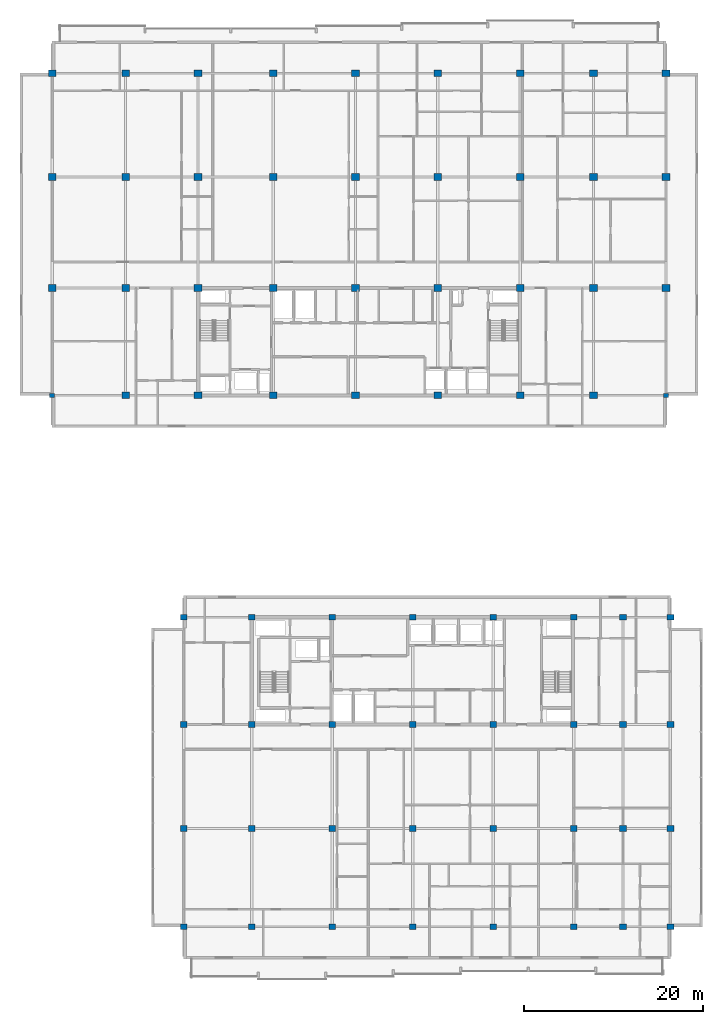
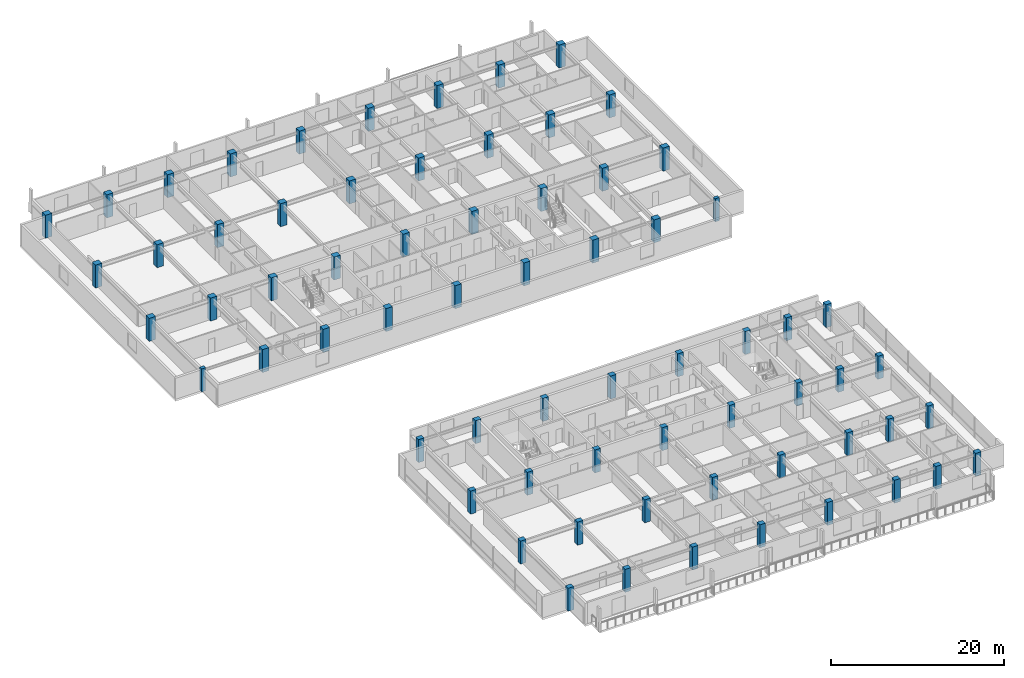
# One storey, part 1 of 30: 68 columns.
"""IFC4 building model written with IfcOpenShell, lengths in metres."""

from ifc_helpers import new_model, si_unit, direction, frame, origin, origin_2d, place, context, subcontext, project, spatial, rectangle, extrude, material, material_profile, profile_set, type_object, element, save


model = new_model("IFC4")

# Units and contexts
model_context = context("Model", 3, precision=1e-05, world=origin(), true_north=direction((0.0, 1.0)))
body_context = subcontext(model_context, "Body", "Model", "MODEL_VIEW")
ifc_project = project(units=[si_unit("LENGTHUNIT", "METRE"), si_unit("AREAUNIT", "SQUARE_METRE"), si_unit("VOLUMEUNIT", "CUBIC_METRE"), si_unit("PLANEANGLEUNIT", "RADIAN"), si_unit("MASSUNIT", "GRAM", prefix="KILO")], contexts=[model_context])

# Site, building, storey
site_placement = place(None, origin())
site = spatial("IfcSite", under=ifc_project, at=site_placement, CompositionType="ELEMENT")
building_placement = place(site_placement, origin())
building = spatial("IfcBuilding", under=site, at=building_placement, Name="Korimba Cascade Residences", CompositionType="ELEMENT")
storey_placement = place(building_placement, frame((0.0, 0.0, 201.10009765625)))
storey = spatial("IfcBuildingStorey", under=building, at=storey_placement, Name="L58", CompositionType="ELEMENT", Elevation=201.10009765625)

# Columns
ifc_material_1 = material(Name="Concrete C65/80", Category="concrete")
ifc_material_profile_1 = material_profile(ifc_material_1, rectangle(XDim=0.550048828125, YDim=0.449951171875, at=origin_2d()), Name="Concrete C65/80")
ifc_profile_set_1 = profile_set([ifc_material_profile_1], Name="Concrete C65/80")
column_type_1 = type_object("IfcColumnType", Name="COL-PIL-550", PredefinedType="PILASTER", material=ifc_profile_set_1)
for number, where, z_axis, x_axis, name in (
    (1, (59.800048828125, 55.199951171875, 0.0), (0.0, 0.0, 1.0), (1.0, 0.0, 0.0), "L58 Tower 1 Column 1.1"),
    (2, (128.39990234375, 55.199951171875, 0.0), (0.0, 0.0, 1.0), (1.0, 0.0, 0.0), "L58 Tower 1 Column 9.1"),
):
    element("IfcColumn", number, at=place(storey_placement, frame(where, z_axis=z_axis, x_axis=x_axis)), inside=storey, type_object=column_type_1, Name=name, PredefinedType="PILASTER", context=body_context, shape_type="SweptSolid", body=[
        extrude(rectangle(XDim=0.550048828125, YDim=0.449951171875, at=origin_2d()), origin(), (0.0, 0.0, 1.0), 3.25),
    ])
ifc_material_2 = material(Name="Concrete C50/60", Category="concrete")
ifc_material_profile_2 = material_profile(ifc_material_2, rectangle(XDim=0.75, YDim=0.64990234375, at=origin_2d()), Name="Concrete C50/60")
ifc_profile_set_2 = profile_set([ifc_material_profile_2], Name="Concrete C50/60")
column_type_2 = type_object("IfcColumnType", Name="COL-RC-750", PredefinedType="COLUMN", material=ifc_profile_set_2)
for number, where, z_axis, x_axis, name in (
    (3, (74.5, -4.199951171875, 0.0), (0.0, 0.0, 1.0), (1.0, 0.0, 0.0), "L58 Tower 2 Column 1.1"),
    (4, (74.5, 6.800048828125, 0.0), (0.0, 0.0, 1.0), (1.0, 0.0, 0.0), "L58 Tower 2 Column 1.2"),
    (5, (74.5, 18.39990234375, 0.0), (0.0, 0.0, 1.0), (1.0, 0.0, 0.0), "L58 Tower 2 Column 1.3"),
    (6, (74.5, 30.39990234375, 0.0), (0.0, 0.0, 1.0), (1.0, 0.0, 0.0), "L58 Tower 2 Column 1.4"),
    (7, (82.10009765625, -4.199951171875, 0.0), (0.0, 0.0, 1.0), (1.0, 0.0, 0.0), "L58 Tower 2 Column 2.1"),
    (8, (82.10009765625, 6.800048828125, 0.0), (0.0, 0.0, 1.0), (1.0, 0.0, 0.0), "L58 Tower 2 Column 2.2"),
    (9, (82.10009765625, 18.39990234375, 0.0), (0.0, 0.0, 1.0), (1.0, 0.0, 0.0), "L58 Tower 2 Column 2.3"),
    (10, (82.10009765625, 30.39990234375, 0.0), (0.0, 0.0, 1.0), (1.0, 0.0, 0.0), "L58 Tower 2 Column 2.4"),
    (11, (91.10009765625, -4.199951171875, 0.0), (0.0, 0.0, 1.0), (1.0, 0.0, 0.0), "L58 Tower 2 Column 3.1"),
    (12, (91.10009765625, 6.800048828125, 0.0), (0.0, 0.0, 1.0), (1.0, 0.0, 0.0), "L58 Tower 2 Column 3.2"),
    (13, (91.10009765625, 18.39990234375, 0.0), (0.0, 0.0, 1.0), (1.0, 0.0, 0.0), "L58 Tower 2 Column 3.3"),
    (14, (91.10009765625, 30.39990234375, 0.0), (0.0, 0.0, 1.0), (1.0, 0.0, 0.0), "L58 Tower 2 Column 3.4"),
    (15, (100.10009765625, -4.199951171875, 0.0), (0.0, 0.0, 1.0), (1.0, 0.0, 0.0), "L58 Tower 2 Column 4.1"),
    (16, (100.10009765625, 6.800048828125, 0.0), (0.0, 0.0, 1.0), (1.0, 0.0, 0.0), "L58 Tower 2 Column 4.2"),
    (17, (100.10009765625, 18.39990234375, 0.0), (0.0, 0.0, 1.0), (1.0, 0.0, 0.0), "L58 Tower 2 Column 4.3"),
    (18, (100.10009765625, 30.39990234375, 0.0), (0.0, 0.0, 1.0), (1.0, 0.0, 0.0), "L58 Tower 2 Column 4.4"),
    (19, (109.10009765625, -4.199951171875, 0.0), (0.0, 0.0, 1.0), (1.0, 0.0, 0.0), "L58 Tower 2 Column 5.1"),
    (20, (109.10009765625, 6.800048828125, 0.0), (0.0, 0.0, 1.0), (1.0, 0.0, 0.0), "L58 Tower 2 Column 5.2"),
    (21, (109.10009765625, 18.39990234375, 0.0), (0.0, 0.0, 1.0), (1.0, 0.0, 0.0), "L58 Tower 2 Column 5.3"),
    (22, (109.10009765625, 30.39990234375, 0.0), (0.0, 0.0, 1.0), (1.0, 0.0, 0.0), "L58 Tower 2 Column 5.4"),
    (23, (118.10009765625, -4.199951171875, 0.0), (0.0, 0.0, 1.0), (1.0, 0.0, 0.0), "L58 Tower 2 Column 6.1"),
    (24, (118.10009765625, 6.800048828125, 0.0), (0.0, 0.0, 1.0), (1.0, 0.0, 0.0), "L58 Tower 2 Column 6.2"),
    (25, (118.10009765625, 18.39990234375, 0.0), (0.0, 0.0, 1.0), (1.0, 0.0, 0.0), "L58 Tower 2 Column 6.3"),
    (26, (118.10009765625, 30.39990234375, 0.0), (0.0, 0.0, 1.0), (1.0, 0.0, 0.0), "L58 Tower 2 Column 6.4"),
    (27, (123.60009765625, -4.199951171875, 0.0), (0.0, 0.0, 1.0), (1.0, 0.0, 0.0), "L58 Tower 2 Column 7.1"),
    (28, (123.60009765625, 6.800048828125, 0.0), (0.0, 0.0, 1.0), (1.0, 0.0, 0.0), "L58 Tower 2 Column 7.2"),
    (29, (123.60009765625, 18.39990234375, 0.0), (0.0, 0.0, 1.0), (1.0, 0.0, 0.0), "L58 Tower 2 Column 7.3"),
    (30, (123.60009765625, 30.39990234375, 0.0), (0.0, 0.0, 1.0), (1.0, 0.0, 0.0), "L58 Tower 2 Column 7.4"),
    (31, (128.89990234375, -4.199951171875, 0.0), (0.0, 0.0, 1.0), (1.0, 0.0, 0.0), "L58 Tower 2 Column 8.1"),
    (32, (128.89990234375, 6.800048828125, 0.0), (0.0, 0.0, 1.0), (1.0, 0.0, 0.0), "L58 Tower 2 Column 8.2"),
    (33, (128.89990234375, 18.39990234375, 0.0), (0.0, 0.0, 1.0), (1.0, 0.0, 0.0), "L58 Tower 2 Column 8.3"),
    (34, (128.89990234375, 30.39990234375, 0.0), (0.0, 0.0, 1.0), (1.0, 0.0, 0.0), "L58 Tower 2 Column 8.4"),
):
    element("IfcColumn", number, at=place(storey_placement, frame(where, z_axis=z_axis, x_axis=x_axis)), inside=storey, type_object=column_type_2, Name=name, PredefinedType="COLUMN", context=body_context, shape_type="SweptSolid", body=[
        extrude(rectangle(XDim=0.75, YDim=0.64990234375, at=origin_2d()), origin(), (0.0, 0.0, 1.0), 3.25),
    ])
ifc_material_profile_3 = material_profile(ifc_material_1, rectangle(XDim=0.85009765625, YDim=0.75, at=origin_2d()), Name="Concrete C65/80")
ifc_profile_set_3 = profile_set([ifc_material_profile_3], Name="Concrete C65/80")
column_type_3 = type_object("IfcColumnType", Name="COL-RC-850", PredefinedType="COLUMN", material=ifc_profile_set_3)
for number, where, z_axis, x_axis, name in (
    (35, (59.800048828125, 67.199951171875, 0.0), (0.0, 0.0, 1.0), (1.0, 0.0, 0.0), "L58 Tower 1 Column 1.2"),
    (36, (59.800048828125, 79.60009765625, 0.0), (0.0, 0.0, 1.0), (1.0, 0.0, 0.0), "L58 Tower 1 Column 1.3"),
    (37, (59.800048828125, 91.199951171875, 0.0), (0.0, 0.0, 1.0), (1.0, 0.0, 0.0), "L58 Tower 1 Column 1.4"),
    (38, (68.0, 55.199951171875, 0.0), (0.0, 0.0, 1.0), (1.0, 0.0, 0.0), "L58 Tower 1 Column 2.1"),
    (39, (68.0, 67.199951171875, 0.0), (0.0, 0.0, 1.0), (1.0, 0.0, 0.0), "L58 Tower 1 Column 2.2"),
    (40, (68.0, 79.60009765625, 0.0), (0.0, 0.0, 1.0), (1.0, 0.0, 0.0), "L58 Tower 1 Column 2.3"),
    (41, (68.0, 91.199951171875, 0.0), (0.0, 0.0, 1.0), (1.0, 0.0, 0.0), "L58 Tower 1 Column 2.4"),
    (42, (76.10009765625, 55.199951171875, 0.0), (0.0, 0.0, 1.0), (1.0, 0.0, 0.0), "L58 Tower 1 Column 3.1"),
    (43, (76.10009765625, 67.199951171875, 0.0), (0.0, 0.0, 1.0), (1.0, 0.0, 0.0), "L58 Tower 1 Column 3.2"),
    (44, (76.10009765625, 79.60009765625, 0.0), (0.0, 0.0, 1.0), (1.0, 0.0, 0.0), "L58 Tower 1 Column 3.3"),
    (45, (76.10009765625, 91.199951171875, 0.0), (0.0, 0.0, 1.0), (1.0, 0.0, 0.0), "L58 Tower 1 Column 3.4"),
    (46, (84.5, 55.199951171875, 0.0), (0.0, 0.0, 1.0), (1.0, 0.0, 0.0), "L58 Tower 1 Column 4.1"),
    (47, (84.5, 67.199951171875, 0.0), (0.0, 0.0, 1.0), (1.0, 0.0, 0.0), "L58 Tower 1 Column 4.2"),
    (48, (84.5, 79.60009765625, 0.0), (0.0, 0.0, 1.0), (1.0, 0.0, 0.0), "L58 Tower 1 Column 4.3"),
    (49, (84.5, 91.199951171875, 0.0), (0.0, 0.0, 1.0), (1.0, 0.0, 0.0), "L58 Tower 1 Column 4.4"),
    (50, (93.699951171875, 55.199951171875, 0.0), (0.0, 0.0, 1.0), (1.0, 0.0, 0.0), "L58 Tower 1 Column 5.1"),
    (51, (93.699951171875, 67.199951171875, 0.0), (0.0, 0.0, 1.0), (1.0, 0.0, 0.0), "L58 Tower 1 Column 5.2"),
    (52, (93.699951171875, 79.60009765625, 0.0), (0.0, 0.0, 1.0), (1.0, 0.0, 0.0), "L58 Tower 1 Column 5.3"),
    (53, (93.699951171875, 91.199951171875, 0.0), (0.0, 0.0, 1.0), (1.0, 0.0, 0.0), "L58 Tower 1 Column 5.4"),
    (54, (102.89990234375, 55.199951171875, 0.0), (0.0, 0.0, 1.0), (1.0, 0.0, 0.0), "L58 Tower 1 Column 6.1"),
    (55, (102.89990234375, 67.199951171875, 0.0), (0.0, 0.0, 1.0), (1.0, 0.0, 0.0), "L58 Tower 1 Column 6.2"),
    (56, (102.89990234375, 79.60009765625, 0.0), (0.0, 0.0, 1.0), (1.0, 0.0, 0.0), "L58 Tower 1 Column 6.3"),
    (57, (102.89990234375, 91.199951171875, 0.0), (0.0, 0.0, 1.0), (1.0, 0.0, 0.0), "L58 Tower 1 Column 6.4"),
    (58, (112.10009765625, 55.199951171875, 0.0), (0.0, 0.0, 1.0), (1.0, 0.0, 0.0), "L58 Tower 1 Column 7.1"),
    (59, (112.10009765625, 67.199951171875, 0.0), (0.0, 0.0, 1.0), (1.0, 0.0, 0.0), "L58 Tower 1 Column 7.2"),
    (60, (112.10009765625, 79.60009765625, 0.0), (0.0, 0.0, 1.0), (1.0, 0.0, 0.0), "L58 Tower 1 Column 7.3"),
    (61, (112.10009765625, 91.199951171875, 0.0), (0.0, 0.0, 1.0), (1.0, 0.0, 0.0), "L58 Tower 1 Column 7.4"),
    (62, (120.300048828125, 55.199951171875, 0.0), (0.0, 0.0, 1.0), (1.0, 0.0, 0.0), "L58 Tower 1 Column 8.1"),
    (63, (120.300048828125, 67.199951171875, 0.0), (0.0, 0.0, 1.0), (1.0, 0.0, 0.0), "L58 Tower 1 Column 8.2"),
    (64, (120.300048828125, 79.60009765625, 0.0), (0.0, 0.0, 1.0), (1.0, 0.0, 0.0), "L58 Tower 1 Column 8.3"),
    (65, (120.300048828125, 91.199951171875, 0.0), (0.0, 0.0, 1.0), (1.0, 0.0, 0.0), "L58 Tower 1 Column 8.4"),
    (66, (128.39990234375, 67.199951171875, 0.0), (0.0, 0.0, 1.0), (1.0, 0.0, 0.0), "L58 Tower 1 Column 9.2"),
    (67, (128.39990234375, 79.60009765625, 0.0), (0.0, 0.0, 1.0), (1.0, 0.0, 0.0), "L58 Tower 1 Column 9.3"),
    (68, (128.39990234375, 91.199951171875, 0.0), (0.0, 0.0, 1.0), (1.0, 0.0, 0.0), "L58 Tower 1 Column 9.4"),
):
    element("IfcColumn", number, at=place(storey_placement, frame(where, z_axis=z_axis, x_axis=x_axis)), inside=storey, type_object=column_type_3, Name=name, PredefinedType="COLUMN", context=body_context, shape_type="SweptSolid", body=[
        extrude(rectangle(XDim=0.85009765625, YDim=0.75, at=origin_2d()), origin(), (0.0, 0.0, 1.0), 3.25),
    ])

save(model, "model.ifc")
